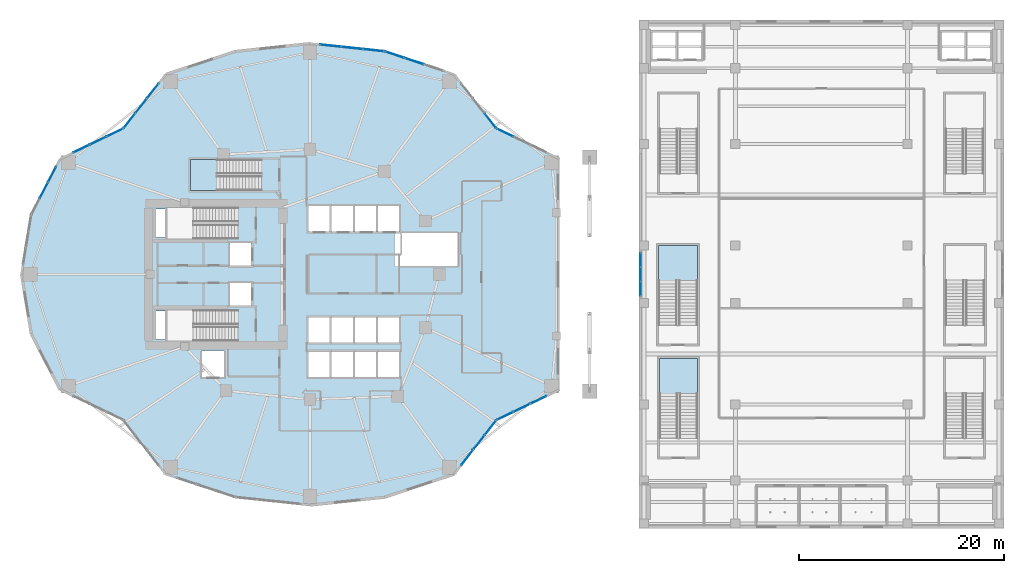
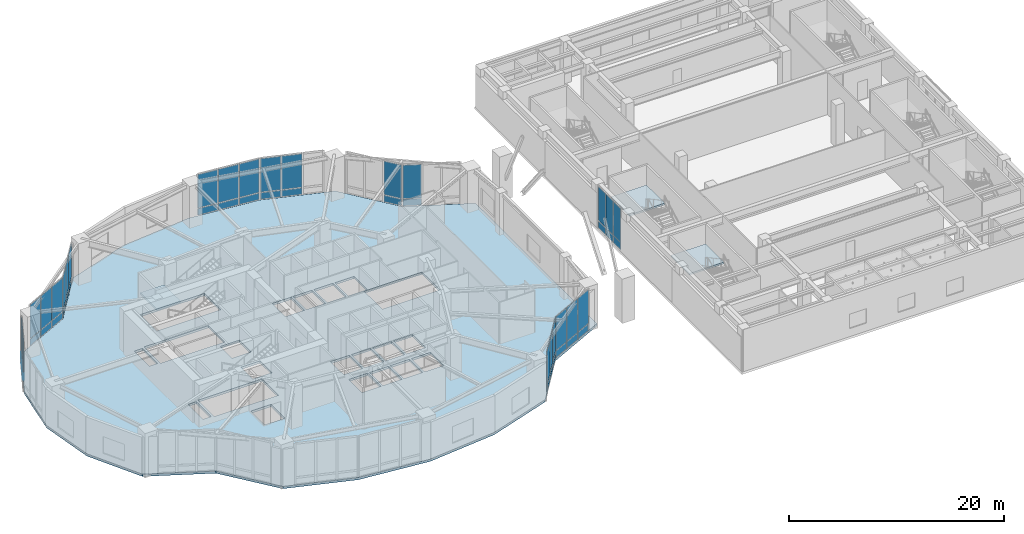
# One storey, part 11 of 24: 48 plates, 4 slabs, 13 elements without a shape of their own.
"""IFC4 building model written with IfcOpenShell, lengths in metres."""

from ifc_helpers import new_model, si_unit, direction, frame, origin, origin_2d, place, context, subcontext, project, spatial, polyline, rectangle, outline, extrude, material, layer, layer_set, type_object, element, aggregate, save


model = new_model("IFC4")

# Units and contexts
model_context = context("Model", 3, precision=1e-05, world=origin(), true_north=direction((0.0, 1.0)))
body_context = subcontext(model_context, "Body", "Model", "MODEL_VIEW")
ifc_project = project(units=[si_unit("LENGTHUNIT", "METRE"), si_unit("AREAUNIT", "SQUARE_METRE"), si_unit("VOLUMEUNIT", "CUBIC_METRE"), si_unit("PLANEANGLEUNIT", "RADIAN"), si_unit("MASSUNIT", "GRAM", prefix="KILO")], contexts=[model_context])

# Site, building, storey
site_placement = place(None, origin())
site = spatial("IfcSite", under=ifc_project, at=site_placement, CompositionType="ELEMENT")
building_placement = place(site_placement, origin())
building = spatial("IfcBuilding", under=site, at=building_placement, Name="Kolvaren Gate Tower and Convention Centre", CompositionType="ELEMENT")
storey_placement = place(building_placement, frame((0.0, 0.0, 10.0)))
storey = spatial("IfcBuildingStorey", under=building, at=storey_placement, Name="L02", CompositionType="ELEMENT", Elevation=10.0)

# Curtain wall, plate
ifc_material_1 = material(Name="Anodized Architectural Aluminium Alloy 6063-T6", Category="aluminium")
ifc_layer_1 = layer(ifc_material_1, 0.179931640625)
ifc_layer_set_1 = layer_set([ifc_layer_1], Name="Anodized Architectural Aluminium Alloy 6063-T6")
curtain_wall_type_1 = type_object("IfcCurtainWallType", Name="CW-POD-GLZ", PredefinedType="NOTDEFINED", material=ifc_layer_set_1)
curtain_wall_1_placement = place(storey_placement, origin())
curtain_wall_1 = element("IfcCurtainWall", 1, at=curtain_wall_1_placement, inside=storey, type_object=curtain_wall_type_1, Name="Tower L02 Unitised Curtain Wall CW-POD-GLZ Bay 02", PredefinedType="NOTDEFINED")
ifc_material_2 = material(Name="Low-E Triple Insulated Glazing Unit 44 mm", Category="glass")
ifc_layer_2 = layer(ifc_material_2, 0.0439453125)
ifc_layer_set_2 = layer_set([ifc_layer_2], Name="Low-E Triple Insulated Glazing Unit 44 mm")
plate_type_1 = type_object("IfcPlateType", Name="CW-PL-IGU-44", PredefinedType="CURTAIN_PANEL", material=ifc_layer_set_2)
plate_1_placement = place(storey_placement, frame((49.15234375, 40.810546875, 0.88720703125), z_axis=(0.0, 0.0, 1.0), x_axis=(0.90136380435, -0.433062688542, 0.0)))
plate_1 = element("IfcPlate", 2, at=plate_1_placement, type_object=plate_type_1, Name="CW-01 panel 1.2", PredefinedType="CURTAIN_PANEL", context=body_context, shape_type="SweptSolid", body=[
    extrude(rectangle(XDim=1.70751953125, YDim=0.0439453125, at=origin_2d()), origin(), (0.0, 0.0, 1.0), 3.797607421875),
])

curtain_wall_2_placement = place(storey_placement, origin())
curtain_wall_2 = element("IfcCurtainWall", 3, at=curtain_wall_2_placement, inside=storey, type_object=curtain_wall_type_1, Name="Tower L02 Unitised Curtain Wall CW-POD-GLZ Bay 03", PredefinedType="NOTDEFINED")
plate_2_placement = place(storey_placement, frame((47.726318359375, 41.965087890625, 0.88720703125), z_axis=(0.0, 0.0, 1.0), x_axis=(0.616425794643, -0.787413004527, 0.0)))
plate_2 = element("IfcPlate", 4, at=plate_2_placement, type_object=plate_type_1, Name="CW-01 panel 3.2", PredefinedType="CURTAIN_PANEL", context=body_context, shape_type="SweptSolid", body=[
    extrude(rectangle(XDim=1.760986328125, YDim=0.0439453125, at=origin_2d()), origin(), (0.0, 0.0, 1.0), 3.797607421875),
])

# Curtain wall, plates
curtain_wall_3_placement = place(storey_placement, origin())
curtain_wall_3 = element("IfcCurtainWall", 5, at=curtain_wall_3_placement, inside=storey, type_object=curtain_wall_type_1, Name="Tower L02 Unitised Curtain Wall CW-POD-GLZ Bay 04", PredefinedType="NOTDEFINED")
plate_3_placement = place(storey_placement, frame((38.37939453125, 48.41015625, 0.88720703125), z_axis=(0.0, 0.0, 1.0), x_axis=(0.949243688479, -0.314541602786, 0.0)))
plate_3 = element("IfcPlate", 6, at=plate_3_placement, type_object=plate_type_1, Name="CW-01 panel 1.2", PredefinedType="CURTAIN_PANEL", context=body_context, shape_type="SweptSolid", body=[
    extrude(rectangle(XDim=1.904541015625, YDim=0.0439453125, at=origin_2d()), origin(), (0.0, 0.0, 1.0), 3.797607421875),
])
plate_4_placement = place(storey_placement, frame((40.2763671875, 47.78173828125, 0.88720703125), z_axis=(0.0, 0.0, 1.0), x_axis=(0.949243688479, -0.314541602786, 0.0)))
plate_4 = element("IfcPlate", 7, at=plate_4_placement, type_object=plate_type_1, Name="CW-01 panel 2.2", PredefinedType="CURTAIN_PANEL", context=body_context, shape_type="SweptSolid", body=[
    extrude(rectangle(XDim=1.94189453125, YDim=0.0439453125, at=origin_2d()), origin(), (0.0, 0.0, 1.0), 3.797607421875),
])

curtain_wall_4_placement = place(storey_placement, origin())
curtain_wall_4 = element("IfcCurtainWall", 8, at=curtain_wall_4_placement, inside=storey, type_object=curtain_wall_type_1, Name="Tower L02 Unitised Curtain Wall CW-POD-GLZ Bay 05", PredefinedType="NOTDEFINED")
plate_5_placement = place(storey_placement, frame((32.126708984375, 49.2890625, 0.88720703125), z_axis=(0.0, 0.0, 1.0), x_axis=(0.994498762941, -0.104748319841, 0.0)))
plate_5 = element("IfcPlate", 9, at=plate_5_placement, type_object=plate_type_1, Name="CW-01 panel 1.2", PredefinedType="CURTAIN_PANEL", context=body_context, shape_type="SweptSolid", body=[
    extrude(rectangle(XDim=2.017578125, YDim=0.0439453125, at=origin_2d()), origin(), (0.0, 0.0, 1.0), 3.797607421875),
])
plate_6_placement = place(storey_placement, frame((34.2265625, 49.068115234375, 0.88720703125), z_axis=(0.0, 0.0, 1.0), x_axis=(0.994498762941, -0.104748319841, 0.0)))
plate_6 = element("IfcPlate", 10, at=plate_6_placement, type_object=plate_type_1, Name="CW-01 panel 2.2", PredefinedType="CURTAIN_PANEL", context=body_context, shape_type="SweptSolid", body=[
    extrude(rectangle(XDim=2.05517578125, YDim=0.0439453125, at=origin_2d()), origin(), (0.0, 0.0, 1.0), 3.797607421875),
])
plate_7_placement = place(storey_placement, frame((36.326416015625, 48.846923828125, 0.88720703125), z_axis=(0.0, 0.0, 1.0), x_axis=(0.994498762941, -0.104748319841, 0.0)))
plate_7 = element("IfcPlate", 11, at=plate_7_placement, type_object=plate_type_1, Name="CW-01 panel 3.2", PredefinedType="CURTAIN_PANEL", context=body_context, shape_type="SweptSolid", body=[
    extrude(rectangle(XDim=2.017578125, YDim=0.0439453125, at=origin_2d()), origin(), (0.0, 0.0, 1.0), 3.797607421875),
])

curtain_wall_5_placement = place(storey_placement, origin())
curtain_wall_5 = element("IfcCurtainWall", 12, at=curtain_wall_5_placement, inside=storey, type_object=curtain_wall_type_1, Name="Tower L02 Unitised Curtain Wall CW-POD-GLZ Bay 08", PredefinedType="NOTDEFINED")
plate_8_placement = place(storey_placement, frame((12.523681640625, 41.965087890625, 0.88720703125), z_axis=(0.0, 0.0, 1.0), x_axis=(0.616421003276, 0.787416755422, 0.0)))
plate_8 = element("IfcPlate", 13, at=plate_8_placement, type_object=plate_type_1, Name="CW-01 panel 1.2", PredefinedType="CURTAIN_PANEL", context=body_context, shape_type="SweptSolid", body=[
    extrude(rectangle(XDim=1.7607421875, YDim=0.0439453125, at=origin_2d()), origin(), (0.0, 0.0, 1.0), 3.797607421875),
])
plate_9_placement = place(storey_placement, frame((13.666748046875, 43.425537109375, 0.88720703125), z_axis=(0.0, 0.0, 1.0), x_axis=(0.616421003276, 0.787416755422, 0.0)))
plate_9 = element("IfcPlate", 14, at=plate_9_placement, type_object=plate_type_1, Name="CW-01 panel 2.2", PredefinedType="CURTAIN_PANEL", context=body_context, shape_type="SweptSolid", body=[
    extrude(rectangle(XDim=1.79833984375, YDim=0.0439453125, at=origin_2d()), origin(), (0.0, 0.0, 1.0), 3.797607421875),
])
plate_10_placement = place(storey_placement, frame((14.81005859375, 44.8857421875, 0.88720703125), z_axis=(0.0, 0.0, 1.0), x_axis=(0.616421003276, 0.787416755422, 0.0)))
plate_10 = element("IfcPlate", 15, at=plate_10_placement, type_object=plate_type_1, Name="CW-01 panel 3.2", PredefinedType="CURTAIN_PANEL", context=body_context, shape_type="SweptSolid", body=[
    extrude(rectangle(XDim=1.7607421875, YDim=0.0439453125, at=origin_2d()), origin(), (0.0, 0.0, 1.0), 3.797607421875),
])

curtain_wall_6_placement = place(storey_placement, origin())
curtain_wall_6 = element("IfcCurtainWall", 16, at=curtain_wall_6_placement, inside=storey, type_object=curtain_wall_type_1, Name="Tower L02 Unitised Curtain Wall CW-POD-GLZ Bay 09", PredefinedType="NOTDEFINED")
plate_11_placement = place(storey_placement, frame((7.85009765625, 39.250244140625, 0.88720703125), z_axis=(0.0, 0.0, 1.0), x_axis=(0.901366679942, 0.433056703319, 0.0)))
plate_11 = element("IfcPlate", 17, at=plate_11_placement, type_object=plate_type_1, Name="CW-01 panel 1.2", PredefinedType="CURTAIN_PANEL", context=body_context, shape_type="SweptSolid", body=[
    extrude(rectangle(XDim=1.707763671875, YDim=0.0439453125, at=origin_2d()), origin(), (0.0, 0.0, 1.0), 3.797607421875),
])
plate_12_placement = place(storey_placement, frame((9.4736328125, 40.030517578125, 0.88720703125), z_axis=(0.0, 0.0, 1.0), x_axis=(0.901366679942, 0.433056703319, 0.0)))
plate_12 = element("IfcPlate", 18, at=plate_12_placement, type_object=plate_type_1, Name="CW-01 panel 2.2", PredefinedType="CURTAIN_PANEL", context=body_context, shape_type="SweptSolid", body=[
    extrude(rectangle(XDim=1.7451171875, YDim=0.0439453125, at=origin_2d()), origin(), (0.0, 0.0, 1.0), 3.797607421875),
])
plate_13_placement = place(storey_placement, frame((11.097412109375, 40.810546875, 0.88720703125), z_axis=(0.0, 0.0, 1.0), x_axis=(0.901366679942, 0.433056703319, 0.0)))
plate_13 = element("IfcPlate", 19, at=plate_13_placement, type_object=plate_type_1, Name="CW-01 panel 3.2", PredefinedType="CURTAIN_PANEL", context=body_context, shape_type="SweptSolid", body=[
    extrude(rectangle(XDim=1.707763671875, YDim=0.0439453125, at=origin_2d()), origin(), (0.0, 0.0, 1.0), 3.797607421875),
])

curtain_wall_7_placement = place(storey_placement, origin())
curtain_wall_7 = element("IfcCurtainWall", 20, at=curtain_wall_7_placement, inside=storey, type_object=curtain_wall_type_1, Name="Tower L02 Unitised Curtain Wall CW-POD-GLZ Bay 10", PredefinedType="NOTDEFINED")
plate_14_placement = place(storey_placement, frame((4.1787109375, 35.1806640625, 0.88720703125), z_axis=(0.0, 0.0, 1.0), x_axis=(0.459789264949, 0.888028058024, 0.0)))
plate_14 = element("IfcPlate", 21, at=plate_14_placement, type_object=plate_type_1, Name="CW-01 panel 2.2", PredefinedType="CURTAIN_PANEL", context=body_context, shape_type="SweptSolid", body=[
    extrude(rectangle(XDim=1.694580078125, YDim=0.0439453125, at=origin_2d()), origin(), (0.0, 0.0, 1.0), 3.797607421875),
])
plate_15_placement = place(storey_placement, frame((4.98388671875, 36.735595703125, 0.88720703125), z_axis=(0.0, 0.0, 1.0), x_axis=(0.459789264949, 0.888028058024, 0.0)))
plate_15 = element("IfcPlate", 22, at=plate_15_placement, type_object=plate_type_1, Name="CW-01 panel 3.2", PredefinedType="CURTAIN_PANEL", context=body_context, shape_type="SweptSolid", body=[
    extrude(rectangle(XDim=1.6572265625, YDim=0.0439453125, at=origin_2d()), origin(), (0.0, 0.0, 1.0), 3.797607421875),
])

curtain_wall_8_placement = place(storey_placement, origin())
curtain_wall_8 = element("IfcCurtainWall", 23, at=curtain_wall_8_placement, inside=storey, type_object=curtain_wall_type_1, Name="Tower L02 Unitised Curtain Wall CW-POD-GLZ Bay 20", PredefinedType="NOTDEFINED")
plate_16_placement = place(storey_placement, frame((45.439697265625, 9.114013671875, 0.88720703125), z_axis=(0.0, 0.0, 1.0), x_axis=(0.616425794643, 0.787413004527, 0.0)))
plate_16 = element("IfcPlate", 24, at=plate_16_placement, type_object=plate_type_1, Name="CW-01 panel 1.2", PredefinedType="CURTAIN_PANEL", context=body_context, shape_type="SweptSolid", body=[
    extrude(rectangle(XDim=1.760986328125, YDim=0.0439453125, at=origin_2d()), origin(), (0.0, 0.0, 1.0), 3.797607421875),
])
plate_17_placement = place(storey_placement, frame((46.5830078125, 10.574462890625, 0.88720703125), z_axis=(0.0, 0.0, 1.0), x_axis=(0.616425794643, 0.787413004527, 0.0)))
plate_17 = element("IfcPlate", 25, at=plate_17_placement, type_object=plate_type_1, Name="CW-01 panel 2.2", PredefinedType="CURTAIN_PANEL", context=body_context, shape_type="SweptSolid", body=[
    extrude(rectangle(XDim=1.79833984375, YDim=0.0439453125, at=origin_2d()), origin(), (0.0, 0.0, 1.0), 3.797607421875),
])
plate_18_placement = place(storey_placement, frame((47.726318359375, 12.034912109375, 0.88720703125), z_axis=(0.0, 0.0, 1.0), x_axis=(0.616425794643, 0.787413004527, 0.0)))
plate_18 = element("IfcPlate", 26, at=plate_18_placement, type_object=plate_type_1, Name="CW-01 panel 3.2", PredefinedType="CURTAIN_PANEL", context=body_context, shape_type="SweptSolid", body=[
    extrude(rectangle(XDim=1.760986328125, YDim=0.0439453125, at=origin_2d()), origin(), (0.0, 0.0, 1.0), 3.797607421875),
])

curtain_wall_9_placement = place(storey_placement, origin())
curtain_wall_9 = element("IfcCurtainWall", 27, at=curtain_wall_9_placement, inside=storey, type_object=curtain_wall_type_1, Name="Tower L02 Unitised Curtain Wall CW-POD-GLZ Bay 21", PredefinedType="NOTDEFINED")
plate_19_placement = place(storey_placement, frame((49.15234375, 13.189453125, 0.88720703125), z_axis=(0.0, 0.0, 1.0), x_axis=(0.90136380435, 0.433062688542, 0.0)))
plate_19 = element("IfcPlate", 28, at=plate_19_placement, type_object=plate_type_1, Name="CW-01 panel 1.2", PredefinedType="CURTAIN_PANEL", context=body_context, shape_type="SweptSolid", body=[
    extrude(rectangle(XDim=1.70751953125, YDim=0.0439453125, at=origin_2d()), origin(), (0.0, 0.0, 1.0), 3.797607421875),
])
plate_20_placement = place(storey_placement, frame((50.77587890625, 13.969482421875, 0.88720703125), z_axis=(0.0, 0.0, 1.0), x_axis=(0.90136380435, 0.433062688542, 0.0)))
plate_20 = element("IfcPlate", 29, at=plate_20_placement, type_object=plate_type_1, Name="CW-01 panel 2.2", PredefinedType="CURTAIN_PANEL", context=body_context, shape_type="SweptSolid", body=[
    extrude(rectangle(XDim=1.744873046875, YDim=0.0439453125, at=origin_2d()), origin(), (0.0, 0.0, 1.0), 3.797607421875),
])
plate_21_placement = place(storey_placement, frame((52.399658203125, 14.74951171875, 0.88720703125), z_axis=(0.0, 0.0, 1.0), x_axis=(0.90136380435, 0.433062688542, 0.0)))
plate_21 = element("IfcPlate", 30, at=plate_21_placement, type_object=plate_type_1, Name="CW-01 panel 3.2", PredefinedType="CURTAIN_PANEL", context=body_context, shape_type="SweptSolid", body=[
    extrude(rectangle(XDim=1.70751953125, YDim=0.0439453125, at=origin_2d()), origin(), (0.0, 0.0, 1.0), 3.797607421875),
])

ifc_layer_3 = layer(ifc_material_1, 0.179931640625)
ifc_layer_set_3 = layer_set([ifc_layer_3], Name="Anodized Architectural Aluminium Alloy 6063-T6")
curtain_wall_type_2 = type_object("IfcCurtainWallType", Name="CW-CONV-GLZ", PredefinedType="NOTDEFINED", material=ifc_layer_set_3)
curtain_wall_10_placement = place(storey_placement, origin())
curtain_wall_10 = element("IfcCurtainWall", 31, at=curtain_wall_10_placement, inside=storey, type_object=curtain_wall_type_2, Name="Convention L02 W Foyer Curtain Wall CW-CC-L02-W", PredefinedType="NOTDEFINED")
plate_22_placement = place(storey_placement, frame((62.35009765625, 25.589599609375, 0.882568359375), z_axis=(0.0, 0.0, 1.0), x_axis=(0.0, 1.0, 0.0)))
plate_22 = element("IfcPlate", 32, at=plate_22_placement, type_object=plate_type_1, Name="CW-06 panel 1.2", PredefinedType="CURTAIN_PANEL", context=body_context, shape_type="SweptSolid", body=[
    extrude(rectangle(XDim=1.3291015625, YDim=0.0439453125, at=origin_2d()), origin(), (0.0, 0.0, 1.0), 3.8125),
])
plate_23_placement = place(storey_placement, frame((62.35009765625, 27.0, 0.882568359375), z_axis=(0.0, 0.0, 1.0), x_axis=(0.0, 1.0, 0.0)))
plate_23 = element("IfcPlate", 33, at=plate_23_placement, type_object=plate_type_1, Name="CW-06 panel 2.2", PredefinedType="CURTAIN_PANEL", context=body_context, shape_type="SweptSolid", body=[
    extrude(rectangle(XDim=1.361572265625, YDim=0.0439453125, at=origin_2d()), origin(), (0.0, 0.0, 1.0), 3.8125),
])
plate_24_placement = place(storey_placement, frame((62.35009765625, 28.410400390625, 0.882568359375), z_axis=(0.0, 0.0, 1.0), x_axis=(0.0, 1.0, 0.0)))
plate_24 = element("IfcPlate", 34, at=plate_24_placement, type_object=plate_type_1, Name="CW-06 panel 3.2", PredefinedType="CURTAIN_PANEL", context=body_context, shape_type="SweptSolid", body=[
    extrude(rectangle(XDim=1.3291015625, YDim=0.0439453125, at=origin_2d()), origin(), (0.0, 0.0, 1.0), 3.8125),
])

# Plate
ifc_material_3 = material(Name="Solar-Control Laminated Curtain Glazing 36 mm", Category="glass")
ifc_layer_4 = layer(ifc_material_3, 0.035888671875)
ifc_layer_set_4 = layer_set([ifc_layer_4], Name="Solar-Control Laminated Curtain Glazing 36 mm")
plate_type_2 = type_object("IfcPlateType", Name="CW-PL-SPAN-36", PredefinedType="CURTAIN_PANEL", material=ifc_layer_set_4)
plate_25_placement = place(storey_placement, frame((49.15234375, 40.810546875, 0.0751953125), z_axis=(0.0, 0.0, 1.0), x_axis=(0.90136380435, -0.433062688542, 0.0)))
plate_25 = element("IfcPlate", 35, at=plate_25_placement, type_object=plate_type_2, Name="CW-01 panel 1.1", PredefinedType="CURTAIN_PANEL", context=body_context, shape_type="SweptSolid", body=[
    extrude(rectangle(XDim=1.70751953125, YDim=0.035888671875, at=origin_2d()), origin(), (0.0, 0.0, 1.0), 0.737548828125),
])

aggregate(curtain_wall_1, [plate_25, plate_1])

plate_26_placement = place(storey_placement, frame((47.726318359375, 41.965087890625, 0.0751953125), z_axis=(0.0, 0.0, 1.0), x_axis=(0.616425794643, -0.787413004527, 0.0)))
plate_26 = element("IfcPlate", 36, at=plate_26_placement, type_object=plate_type_2, Name="CW-01 panel 3.1", PredefinedType="CURTAIN_PANEL", context=body_context, shape_type="SweptSolid", body=[
    extrude(rectangle(XDim=1.760986328125, YDim=0.035888671875, at=origin_2d()), origin(), (0.0, 0.0, 1.0), 0.737548828125),
])

aggregate(curtain_wall_2, [plate_26, plate_2])

plate_27_placement = place(storey_placement, frame((38.37939453125, 48.41015625, 0.0751953125), z_axis=(0.0, 0.0, 1.0), x_axis=(0.949243688479, -0.314541602786, 0.0)))
plate_27 = element("IfcPlate", 37, at=plate_27_placement, type_object=plate_type_2, Name="CW-01 panel 1.1", PredefinedType="CURTAIN_PANEL", context=body_context, shape_type="SweptSolid", body=[
    extrude(rectangle(XDim=1.904541015625, YDim=0.035888671875, at=origin_2d()), origin(), (0.0, 0.0, 1.0), 0.737548828125),
])

plate_28_placement = place(storey_placement, frame((40.2763671875, 47.78173828125, 0.0751953125), z_axis=(0.0, 0.0, 1.0), x_axis=(0.949243688479, -0.314541602786, 0.0)))
plate_28 = element("IfcPlate", 38, at=plate_28_placement, type_object=plate_type_2, Name="CW-01 panel 2.1", PredefinedType="CURTAIN_PANEL", context=body_context, shape_type="SweptSolid", body=[
    extrude(rectangle(XDim=1.94189453125, YDim=0.035888671875, at=origin_2d()), origin(), (0.0, 0.0, 1.0), 0.737548828125),
])

aggregate(curtain_wall_3, [plate_27, plate_3, plate_28, plate_4])

plate_29_placement = place(storey_placement, frame((32.126708984375, 49.2890625, 0.0751953125), z_axis=(0.0, 0.0, 1.0), x_axis=(0.994498762941, -0.104748319841, 0.0)))
plate_29 = element("IfcPlate", 39, at=plate_29_placement, type_object=plate_type_2, Name="CW-01 panel 1.1", PredefinedType="CURTAIN_PANEL", context=body_context, shape_type="SweptSolid", body=[
    extrude(rectangle(XDim=2.017578125, YDim=0.035888671875, at=origin_2d()), origin(), (0.0, 0.0, 1.0), 0.737548828125),
])

plate_30_placement = place(storey_placement, frame((34.2265625, 49.068115234375, 0.0751953125), z_axis=(0.0, 0.0, 1.0), x_axis=(0.994498762941, -0.104748319841, 0.0)))
plate_30 = element("IfcPlate", 40, at=plate_30_placement, type_object=plate_type_2, Name="CW-01 panel 2.1", PredefinedType="CURTAIN_PANEL", context=body_context, shape_type="SweptSolid", body=[
    extrude(rectangle(XDim=2.05517578125, YDim=0.035888671875, at=origin_2d()), origin(), (0.0, 0.0, 1.0), 0.737548828125),
])

plate_31_placement = place(storey_placement, frame((36.326416015625, 48.846923828125, 0.0751953125), z_axis=(0.0, 0.0, 1.0), x_axis=(0.994498762941, -0.104748319841, 0.0)))
plate_31 = element("IfcPlate", 41, at=plate_31_placement, type_object=plate_type_2, Name="CW-01 panel 3.1", PredefinedType="CURTAIN_PANEL", context=body_context, shape_type="SweptSolid", body=[
    extrude(rectangle(XDim=2.017578125, YDim=0.035888671875, at=origin_2d()), origin(), (0.0, 0.0, 1.0), 0.737548828125),
])

aggregate(curtain_wall_4, [plate_29, plate_5, plate_30, plate_6, plate_31, plate_7])

plate_32_placement = place(storey_placement, frame((12.523681640625, 41.965087890625, 0.0751953125), z_axis=(0.0, 0.0, 1.0), x_axis=(0.616421003276, 0.787416755422, 0.0)))
plate_32 = element("IfcPlate", 42, at=plate_32_placement, type_object=plate_type_2, Name="CW-01 panel 1.1", PredefinedType="CURTAIN_PANEL", context=body_context, shape_type="SweptSolid", body=[
    extrude(rectangle(XDim=1.7607421875, YDim=0.035888671875, at=origin_2d()), origin(), (0.0, 0.0, 1.0), 0.737548828125),
])

plate_33_placement = place(storey_placement, frame((13.666748046875, 43.425537109375, 0.0751953125), z_axis=(0.0, 0.0, 1.0), x_axis=(0.616421003276, 0.787416755422, 0.0)))
plate_33 = element("IfcPlate", 43, at=plate_33_placement, type_object=plate_type_2, Name="CW-01 panel 2.1", PredefinedType="CURTAIN_PANEL", context=body_context, shape_type="SweptSolid", body=[
    extrude(rectangle(XDim=1.79833984375, YDim=0.035888671875, at=origin_2d()), origin(), (0.0, 0.0, 1.0), 0.737548828125),
])

plate_34_placement = place(storey_placement, frame((14.81005859375, 44.8857421875, 0.0751953125), z_axis=(0.0, 0.0, 1.0), x_axis=(0.616421003276, 0.787416755422, 0.0)))
plate_34 = element("IfcPlate", 44, at=plate_34_placement, type_object=plate_type_2, Name="CW-01 panel 3.1", PredefinedType="CURTAIN_PANEL", context=body_context, shape_type="SweptSolid", body=[
    extrude(rectangle(XDim=1.7607421875, YDim=0.035888671875, at=origin_2d()), origin(), (0.0, 0.0, 1.0), 0.737548828125),
])

aggregate(curtain_wall_5, [plate_32, plate_8, plate_33, plate_9, plate_34, plate_10])

plate_35_placement = place(storey_placement, frame((7.85009765625, 39.250244140625, 0.0751953125), z_axis=(0.0, 0.0, 1.0), x_axis=(0.901366679942, 0.433056703319, 0.0)))
plate_35 = element("IfcPlate", 45, at=plate_35_placement, type_object=plate_type_2, Name="CW-01 panel 1.1", PredefinedType="CURTAIN_PANEL", context=body_context, shape_type="SweptSolid", body=[
    extrude(rectangle(XDim=1.707763671875, YDim=0.035888671875, at=origin_2d()), origin(), (0.0, 0.0, 1.0), 0.737548828125),
])

plate_36_placement = place(storey_placement, frame((9.4736328125, 40.030517578125, 0.0751953125), z_axis=(0.0, 0.0, 1.0), x_axis=(0.901366679942, 0.433056703319, 0.0)))
plate_36 = element("IfcPlate", 46, at=plate_36_placement, type_object=plate_type_2, Name="CW-01 panel 2.1", PredefinedType="CURTAIN_PANEL", context=body_context, shape_type="SweptSolid", body=[
    extrude(rectangle(XDim=1.7451171875, YDim=0.035888671875, at=origin_2d()), origin(), (0.0, 0.0, 1.0), 0.737548828125),
])

plate_37_placement = place(storey_placement, frame((11.097412109375, 40.810546875, 0.0751953125), z_axis=(0.0, 0.0, 1.0), x_axis=(0.901366679942, 0.433056703319, 0.0)))
plate_37 = element("IfcPlate", 47, at=plate_37_placement, type_object=plate_type_2, Name="CW-01 panel 3.1", PredefinedType="CURTAIN_PANEL", context=body_context, shape_type="SweptSolid", body=[
    extrude(rectangle(XDim=1.707763671875, YDim=0.035888671875, at=origin_2d()), origin(), (0.0, 0.0, 1.0), 0.737548828125),
])

aggregate(curtain_wall_6, [plate_35, plate_11, plate_36, plate_12, plate_37, plate_13])

plate_38_placement = place(storey_placement, frame((4.1787109375, 35.1806640625, 0.0751953125), z_axis=(0.0, 0.0, 1.0), x_axis=(0.459789264949, 0.888028058024, 0.0)))
plate_38 = element("IfcPlate", 48, at=plate_38_placement, type_object=plate_type_2, Name="CW-01 panel 2.1", PredefinedType="CURTAIN_PANEL", context=body_context, shape_type="SweptSolid", body=[
    extrude(rectangle(XDim=1.694580078125, YDim=0.035888671875, at=origin_2d()), origin(), (0.0, 0.0, 1.0), 0.737548828125),
])

plate_39_placement = place(storey_placement, frame((4.98388671875, 36.735595703125, 0.0751953125), z_axis=(0.0, 0.0, 1.0), x_axis=(0.459789264949, 0.888028058024, 0.0)))
plate_39 = element("IfcPlate", 49, at=plate_39_placement, type_object=plate_type_2, Name="CW-01 panel 3.1", PredefinedType="CURTAIN_PANEL", context=body_context, shape_type="SweptSolid", body=[
    extrude(rectangle(XDim=1.6572265625, YDim=0.035888671875, at=origin_2d()), origin(), (0.0, 0.0, 1.0), 0.737548828125),
])

aggregate(curtain_wall_7, [plate_38, plate_14, plate_39, plate_15])

plate_40_placement = place(storey_placement, frame((45.439697265625, 9.114013671875, 0.0751953125), z_axis=(0.0, 0.0, 1.0), x_axis=(0.616425794643, 0.787413004527, 0.0)))
plate_40 = element("IfcPlate", 50, at=plate_40_placement, type_object=plate_type_2, Name="CW-01 panel 1.1", PredefinedType="CURTAIN_PANEL", context=body_context, shape_type="SweptSolid", body=[
    extrude(rectangle(XDim=1.760986328125, YDim=0.035888671875, at=origin_2d()), origin(), (0.0, 0.0, 1.0), 0.737548828125),
])

plate_41_placement = place(storey_placement, frame((46.5830078125, 10.574462890625, 0.0751953125), z_axis=(0.0, 0.0, 1.0), x_axis=(0.616425794643, 0.787413004527, 0.0)))
plate_41 = element("IfcPlate", 51, at=plate_41_placement, type_object=plate_type_2, Name="CW-01 panel 2.1", PredefinedType="CURTAIN_PANEL", context=body_context, shape_type="SweptSolid", body=[
    extrude(rectangle(XDim=1.79833984375, YDim=0.035888671875, at=origin_2d()), origin(), (0.0, 0.0, 1.0), 0.737548828125),
])

plate_42_placement = place(storey_placement, frame((47.726318359375, 12.034912109375, 0.0751953125), z_axis=(0.0, 0.0, 1.0), x_axis=(0.616425794643, 0.787413004527, 0.0)))
plate_42 = element("IfcPlate", 52, at=plate_42_placement, type_object=plate_type_2, Name="CW-01 panel 3.1", PredefinedType="CURTAIN_PANEL", context=body_context, shape_type="SweptSolid", body=[
    extrude(rectangle(XDim=1.760986328125, YDim=0.035888671875, at=origin_2d()), origin(), (0.0, 0.0, 1.0), 0.737548828125),
])

aggregate(curtain_wall_8, [plate_40, plate_16, plate_41, plate_17, plate_42, plate_18])

plate_43_placement = place(storey_placement, frame((49.15234375, 13.189453125, 0.0751953125), z_axis=(0.0, 0.0, 1.0), x_axis=(0.90136380435, 0.433062688542, 0.0)))
plate_43 = element("IfcPlate", 53, at=plate_43_placement, type_object=plate_type_2, Name="CW-01 panel 1.1", PredefinedType="CURTAIN_PANEL", context=body_context, shape_type="SweptSolid", body=[
    extrude(rectangle(XDim=1.70751953125, YDim=0.035888671875, at=origin_2d()), origin(), (0.0, 0.0, 1.0), 0.737548828125),
])

plate_44_placement = place(storey_placement, frame((50.77587890625, 13.969482421875, 0.0751953125), z_axis=(0.0, 0.0, 1.0), x_axis=(0.90136380435, 0.433062688542, 0.0)))
plate_44 = element("IfcPlate", 54, at=plate_44_placement, type_object=plate_type_2, Name="CW-01 panel 2.1", PredefinedType="CURTAIN_PANEL", context=body_context, shape_type="SweptSolid", body=[
    extrude(rectangle(XDim=1.744873046875, YDim=0.035888671875, at=origin_2d()), origin(), (0.0, 0.0, 1.0), 0.737548828125),
])

plate_45_placement = place(storey_placement, frame((52.399658203125, 14.74951171875, 0.0751953125), z_axis=(0.0, 0.0, 1.0), x_axis=(0.90136380435, 0.433062688542, 0.0)))
plate_45 = element("IfcPlate", 55, at=plate_45_placement, type_object=plate_type_2, Name="CW-01 panel 3.1", PredefinedType="CURTAIN_PANEL", context=body_context, shape_type="SweptSolid", body=[
    extrude(rectangle(XDim=1.70751953125, YDim=0.035888671875, at=origin_2d()), origin(), (0.0, 0.0, 1.0), 0.737548828125),
])

aggregate(curtain_wall_9, [plate_43, plate_19, plate_44, plate_20, plate_45, plate_21])

plate_46_placement = place(storey_placement, frame((62.35009765625, 25.589599609375, 0.06494140625), z_axis=(0.0, 0.0, 1.0), x_axis=(0.0, 1.0, 0.0)))
plate_46 = element("IfcPlate", 56, at=plate_46_placement, type_object=plate_type_2, Name="CW-06 panel 1.1", PredefinedType="CURTAIN_PANEL", context=body_context, shape_type="SweptSolid", body=[
    extrude(rectangle(XDim=1.3291015625, YDim=0.035888671875, at=origin_2d()), origin(), (0.0, 0.0, 1.0), 0.75244140625),
])

plate_47_placement = place(storey_placement, frame((62.35009765625, 27.0, 0.06494140625), z_axis=(0.0, 0.0, 1.0), x_axis=(0.0, 1.0, 0.0)))
plate_47 = element("IfcPlate", 57, at=plate_47_placement, type_object=plate_type_2, Name="CW-06 panel 2.1", PredefinedType="CURTAIN_PANEL", context=body_context, shape_type="SweptSolid", body=[
    extrude(rectangle(XDim=1.361572265625, YDim=0.035888671875, at=origin_2d()), origin(), (0.0, 0.0, 1.0), 0.75244140625),
])

plate_48_placement = place(storey_placement, frame((62.35009765625, 28.410400390625, 0.06494140625), z_axis=(0.0, 0.0, 1.0), x_axis=(0.0, 1.0, 0.0)))
plate_48 = element("IfcPlate", 58, at=plate_48_placement, type_object=plate_type_2, Name="CW-06 panel 3.1", PredefinedType="CURTAIN_PANEL", context=body_context, shape_type="SweptSolid", body=[
    extrude(rectangle(XDim=1.3291015625, YDim=0.035888671875, at=origin_2d()), origin(), (0.0, 0.0, 1.0), 0.75244140625),
])

aggregate(curtain_wall_10, [plate_46, plate_22, plate_47, plate_23, plate_48, plate_24])

# Slab
ifc_material_4 = material(Name="Concrete C40/50", Category="concrete")
ifc_layer_5 = layer(ifc_material_4, 0.260009765625)
ifc_layer_set_5 = layer_set([ifc_layer_5], Name="Concrete C40/50")
slab_type_1 = type_object("IfcSlabType", Name="STR-SL-FLR-260", PredefinedType="FLOOR", material=ifc_layer_set_5)
slab_1_placement = place(storey_placement, frame((0.0, 0.0, -0.260009765625)))
element("IfcSlab", 59, at=slab_1_placement, inside=storey, type_object=slab_type_1, Name="Tower L02 Structural Floor Slab", PredefinedType="FLOOR", context=body_context, shape_type="SweptSolid", body=[
    extrude(outline(polyline([(54.48193359375, 38.25), (48.315185546875, 41.212890625), (44.1875, 46.485595703125), (37.404296875, 48.7333984375), (30.125, 49.5), (22.845703125, 48.7333984375), (16.0625, 46.485595703125), (11.934814453125, 41.212890625), (5.76806640625, 38.25), (2.958251953125, 32.823486328125), (2.0, 27.0), (2.958251953125, 21.176513671875), (5.76806640625, 15.75), (11.934814453125, 12.787109375), (16.0625, 7.514404296875), (22.845703125, 5.2666015625), (30.125, 4.5), (37.404296875, 5.2666015625), (44.1875, 7.514404296875), (48.315185546875, 12.787109375), (54.48193359375, 15.75), (54.48193359375, 38.25)]), holes=[polyline([(38.39990234375, 31.10009765625), (44.60009765625, 31.10009765625), (44.60009765625, 27.75), (38.39990234375, 27.75), (38.39990234375, 31.10009765625)]), polyline([(36.75, 33.64990234375), (38.800048828125, 33.64990234375), (38.800048828125, 31.199951171875), (36.75, 31.199951171875), (36.75, 33.64990234375)]), polyline([(36.75, 22.800048828125), (38.800048828125, 22.800048828125), (38.800048828125, 20.35009765625), (36.75, 20.35009765625), (36.75, 22.800048828125)]), polyline([(36.75, 19.449951171875), (38.800048828125, 19.449951171875), (38.800048828125, 17.0), (36.75, 17.0), (36.75, 19.449951171875)]), polyline([(34.5, 33.64990234375), (36.550048828125, 33.64990234375), (36.550048828125, 31.199951171875), (34.5, 31.199951171875), (34.5, 33.64990234375)]), polyline([(34.5, 20.35009765625), (34.5, 22.800048828125), (36.550048828125, 22.800048828125), (36.550048828125, 20.35009765625), (34.5, 20.35009765625)]), polyline([(34.5, 17.0), (34.5, 19.449951171875), (36.550048828125, 19.449951171875), (36.550048828125, 17.0), (34.5, 17.0)]), polyline([(32.25, 31.199951171875), (32.25, 33.64990234375), (34.300048828125, 33.64990234375), (34.300048828125, 31.199951171875), (32.25, 31.199951171875)]), polyline([(32.25, 22.800048828125), (34.300048828125, 22.800048828125), (34.300048828125, 20.35009765625), (32.25, 20.35009765625), (32.25, 22.800048828125)]), polyline([(32.25, 17.0), (32.25, 19.449951171875), (34.300048828125, 19.449951171875), (34.300048828125, 17.0), (32.25, 17.0)]), polyline([(30.0, 33.64990234375), (32.050048828125, 33.64990234375), (32.050048828125, 31.199951171875), (30.0, 31.199951171875), (30.0, 33.64990234375)]), polyline([(30.0, 20.35009765625), (30.0, 22.800048828125), (32.050048828125, 22.800048828125), (32.050048828125, 20.35009765625), (30.0, 20.35009765625)]), polyline([(30.0, 17.0), (30.0, 19.449951171875), (32.050048828125, 19.449951171875), (32.050048828125, 17.0), (30.0, 17.0)]), polyline([(25.39990234375, 38.199951171875), (25.39990234375, 35.159912109375), (18.5, 35.159912109375), (18.5, 38.199951171875), (25.39990234375, 38.199951171875)]), polyline([(22.35009765625, 27.840087890625), (22.35009765625, 30.0400390625), (24.39990234375, 30.0400390625), (24.39990234375, 27.840087890625), (22.35009765625, 27.840087890625)]), polyline([(22.35009765625, 23.9599609375), (22.35009765625, 26.159912109375), (24.39990234375, 26.159912109375), (24.39990234375, 23.9599609375), (22.35009765625, 23.9599609375)]), polyline([(23.10009765625, 30.4599609375), (16.199951171875, 30.4599609375), (16.199951171875, 33.5), (23.10009765625, 33.5), (23.10009765625, 30.4599609375)]), polyline([(23.10009765625, 20.5), (16.199951171875, 20.5), (16.199951171875, 23.5400390625), (23.10009765625, 23.5400390625), (23.10009765625, 20.5)]), polyline([(19.60009765625, 17.0), (19.60009765625, 19.550048828125), (21.75, 19.550048828125), (21.75, 17.0), (19.60009765625, 17.0)]), polyline([(15.080078125, 23.419921875), (15.969970703125, 23.419921875), (15.969970703125, 20.6298828125), (15.080078125, 20.6298828125), (15.080078125, 23.419921875)]), polyline([(15.080078125, 30.580078125), (15.080078125, 33.3701171875), (15.969970703125, 33.3701171875), (15.969970703125, 30.580078125), (15.080078125, 30.580078125)])]), origin(), (0.0, 0.0, 1.0), 0.260009765625),
])

# Stair, slab
ifc_material_5 = material(Name="Concrete C50/60", Category="concrete")
stair_type_1 = type_object("IfcStairType", Name="STR-STAIR-CORE", PredefinedType="HALF_TURN_STAIR", material=ifc_material_5)
stair_1_placement = place(storey_placement, origin())
stair_1 = element("IfcStair", 60, at=stair_1_placement, inside=storey, type_object=stair_type_1, Name="L02 Tower Mid-Zone Exit Stair ST-T3", PredefinedType="HALF_TURN_STAIR")
ifc_layer_6 = layer(ifc_material_5, 0.199951171875)
ifc_layer_set_6 = layer_set([ifc_layer_6], Name="Concrete C50/60")
slab_type_2 = type_object("IfcSlabType", Name="STR-SL-LAND-200", PredefinedType="LANDING", material=ifc_layer_set_6)
slab_2_placement = place(storey_placement, frame((0.0, 0.0, 2.300048828125)))
slab_2 = element("IfcSlab", 61, at=slab_2_placement, type_object=slab_type_2, Name="ST-T3 landing 1", PredefinedType="LANDING", context=body_context, shape_type="SweptSolid", body=[
    extrude(outline(polyline([(21.06005859375, 38.199951171875), (18.5, 38.199951171875), (18.5, 35.159912109375), (21.06005859375, 35.159912109375), (21.06005859375, 38.199951171875)])), origin(), (0.0, 0.0, 1.0), 0.199951171875),
])
aggregate(stair_1, [slab_2])

stair_type_2 = type_object("IfcStairType", Name="STR-STAIR-CONV", PredefinedType="HALF_TURN_STAIR", material=ifc_material_5)
stair_2_placement = place(storey_placement, origin())
stair_2 = element("IfcStair", 62, at=stair_2_placement, inside=storey, type_object=stair_type_2, Name="L02 Convention SW Exit Stair ST-C2", PredefinedType="HALF_TURN_STAIR")
slab_3_placement = place(storey_placement, frame((0.0, 0.0, 2.300048828125)))
slab_3 = element("IfcSlab", 63, at=slab_3_placement, type_object=slab_type_2, Name="ST-C2 landing 1", PredefinedType="LANDING", context=body_context, shape_type="SweptSolid", body=[
    extrude(outline(polyline([(67.89990234375, 15.389892578125), (67.89990234375, 18.800048828125), (64.199951171875, 18.800048828125), (64.199951171875, 15.389892578125), (67.89990234375, 15.389892578125)])), origin(), (0.0, 0.0, 1.0), 0.199951171875),
])
aggregate(stair_2, [slab_3])

stair_3_placement = place(storey_placement, origin())
stair_3 = element("IfcStair", 64, at=stair_3_placement, inside=storey, type_object=stair_type_2, Name="L02 Convention West Assembly Stair ST-C5", PredefinedType="HALF_TURN_STAIR")
slab_4_placement = place(storey_placement, frame((0.0, 0.0, 2.300048828125)))
slab_4 = element("IfcSlab", 65, at=slab_4_placement, type_object=slab_type_2, Name="ST-C5 landing 1", PredefinedType="LANDING", context=body_context, shape_type="SweptSolid", body=[
    extrude(outline(polyline([(67.89990234375, 26.389892578125), (67.89990234375, 29.800048828125), (64.10009765625, 29.800048828125), (64.10009765625, 26.389892578125), (67.89990234375, 26.389892578125)])), origin(), (0.0, 0.0, 1.0), 0.199951171875),
])
aggregate(stair_3, [slab_4])

save(model, "model.ifc")
